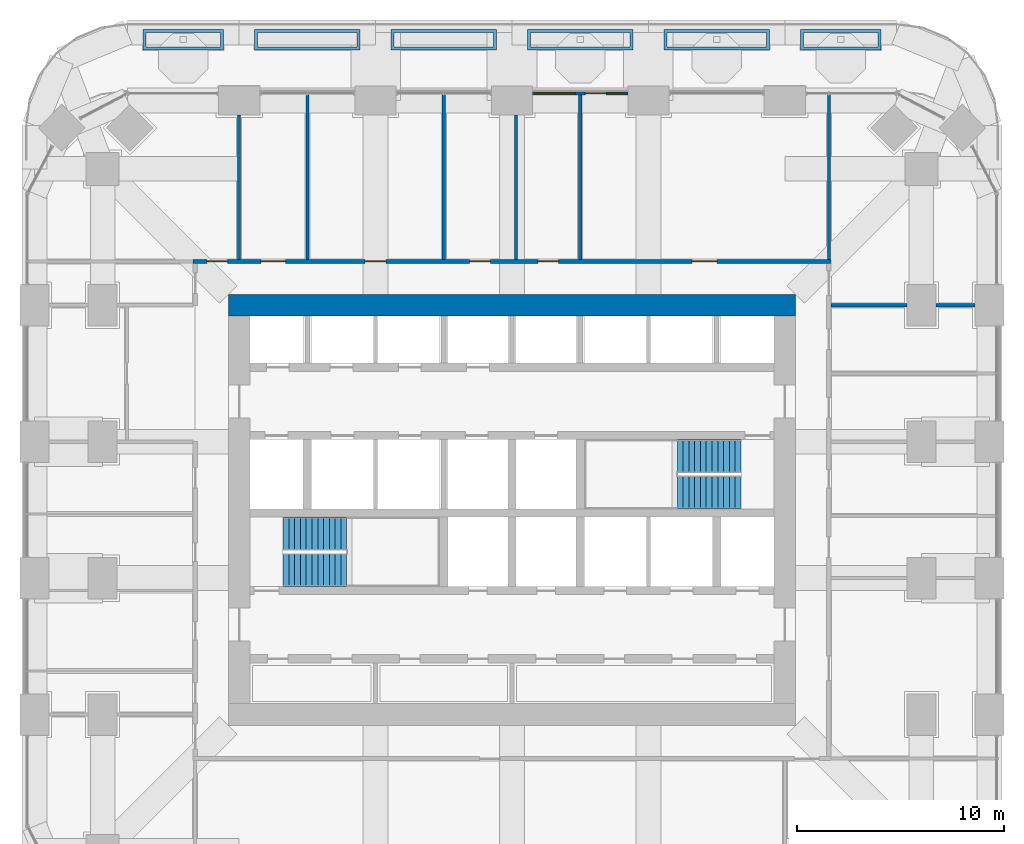
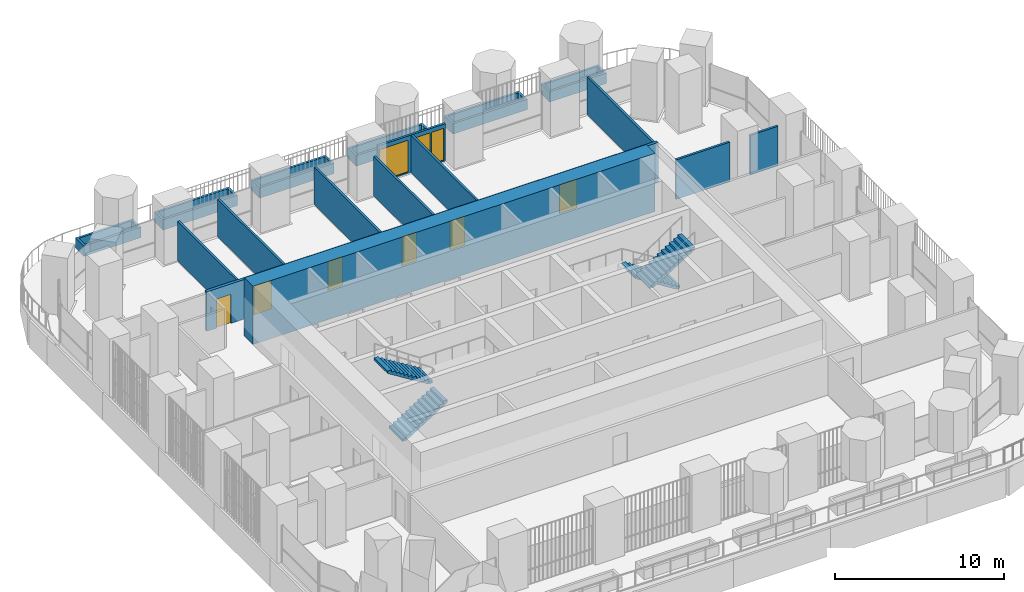
# One storey, part 16 of 22: 17 walls, 7 doors, 4 stair flights, 2 windows, 9 openings, 2 elements without a shape of their own.
"""IFC4 building model written with IfcOpenShell, lengths in metres."""

from ifc_helpers import new_model, si_unit, direction, frame, frame_2d, origin, place, context, subcontext, project, spatial, polyline, rectangle, outline, extrude, material, layer, layer_set, type_object, element, fill, aggregate, save


model = new_model("IFC4")

# Units and contexts
model_context = context("Model", 3, precision=1e-05, world=origin(), true_north=direction((0.0, 1.0)))
body_context = subcontext(model_context, "Body", "Model", "MODEL_VIEW")
ifc_project = project(units=[si_unit("LENGTHUNIT", "METRE"), si_unit("AREAUNIT", "SQUARE_METRE"), si_unit("VOLUMEUNIT", "CUBIC_METRE"), si_unit("PLANEANGLEUNIT", "RADIAN"), si_unit("MASSUNIT", "GRAM", prefix="KILO")], contexts=[model_context])

# Site, building, storey
site_placement = place(None, origin())
site = spatial("IfcSite", under=ifc_project, at=site_placement, CompositionType="ELEMENT")
building_placement = place(site_placement, origin())
building = spatial("IfcBuilding", under=site, at=building_placement, Name="Cobogo Forest Laboratory Tower", CompositionType="ELEMENT")
storey_placement = place(building_placement, frame((0.0, 0.0, 155.699951171875)))
storey = spatial("IfcBuildingStorey", under=building, at=storey_placement, Name="L35", CompositionType="ELEMENT", Elevation=155.699951171875)

# Wall
ifc_material_1 = material(Name="Concrete HA-50 (C50/60)", Category="concrete")
ifc_layer_1 = layer(ifc_material_1, 1.050048828125)
ifc_layer_set_1 = layer_set([ifc_layer_1], Name="CW1050 core outer wall 1050")
wall_type_1 = type_object("IfcWallType", Name="CW1050 core outer wall 1050", PredefinedType="SHEAR", material=ifc_layer_set_1)
wall_1_placement = place(storey_placement, frame((40.125, 33.0, 0.0), z_axis=(0.0, 0.0, 1.0), x_axis=(-1.0, 0.0, 0.0)))
element("IfcWall", 1, at=wall_1_placement, inside=storey, type_object=wall_type_1, Name="Core wall CO-N L35", PredefinedType="SHEAR", context=body_context, shape_type="SweptSolid", body=[
    extrude(rectangle(XDim=27.449951171875, YDim=1.050048828125, at=frame_2d((13.72509765625, 0.0))), origin(), (0.0, 0.0, 1.0), 4.199951171875),
])

# Wall, openings, door, windows
ifc_material_2 = material(Name="Aluminium framed glazed screen", Category="aluminium")
ifc_layer_2 = layer(ifc_material_2, 0.14990234375)
ifc_layer_set_2 = layer_set([ifc_layer_2], Name="GS1 glazed door screen 150")
wall_type_2 = type_object("IfcWallType", Name="GS1 glazed door screen 150", PredefinedType="SOLIDWALL", material=ifc_layer_set_2)
wall_2_placement = place(storey_placement, frame((32.0, 43.25, 0.0), z_axis=(0.0, 0.0, 1.0), x_axis=(-1.0, 0.0, 0.0)))
wall_2 = element("IfcWall", 2, at=wall_2_placement, inside=storey, type_object=wall_type_2, Name="Door screen TER-N L35", PredefinedType="SOLIDWALL", context=body_context, shape_type="SweptSolid", body=[
    extrude(rectangle(XDim=4.60009765625, YDim=0.14990234375, at=frame_2d((2.300048828125, 0.0))), origin(), (0.0, 0.0, 1.0), 2.699951171875),
])
opening_1_placement = place(wall_2_placement, frame((1.050048828125, 0.0, 0.0)))
opening_1 = element("IfcOpeningElement", 3, at=opening_1_placement, cuts=wall_2, Name="Opening L35-D39", PredefinedType="OPENING", context=body_context, shape_type="SweptSolid", body=[
    extrude(rectangle(XDim=1.0, YDim=2.39990234375, at=frame_2d((0.5, 1.199951171875))), frame((0.0, 0.0849609375, 0.0), z_axis=(0.0, -1.0, 0.0), x_axis=(1.0, 0.0, 0.0)), (0.0, 0.0, 1.0), 0.169921875),
])
opening_2_placement = place(wall_2_placement, frame((0.10009765625, 0.0, 0.10009765625)))
opening_2 = element("IfcOpeningElement", 4, at=opening_2_placement, cuts=wall_2, Name="Opening L35-W04", PredefinedType="OPENING", context=body_context, shape_type="SweptSolid", body=[
    extrude(rectangle(XDim=0.85009765625, YDim=2.300048828125, at=frame_2d((0.425048828125, 1.14990234375))), frame((0.0, 0.0849609375, 0.0), z_axis=(0.0, -1.0, 0.0), x_axis=(1.0, 0.0, 0.0)), (0.0, 0.0, 1.0), 0.169921875),
])
opening_3_placement = place(wall_2_placement, frame((2.550048828125, 0.0, 0.10009765625)))
opening_3 = element("IfcOpeningElement", 5, at=opening_3_placement, cuts=wall_2, Name="Opening L35-W03", PredefinedType="OPENING", context=body_context, shape_type="SweptSolid", body=[
    extrude(rectangle(XDim=1.949951171875, YDim=2.300048828125, at=frame_2d((0.97509765625, 1.14990234375))), frame((0.0, 0.0849609375, 0.0), z_axis=(0.0, -1.0, 0.0), x_axis=(1.0, 0.0, 0.0)), (0.0, 0.0, 1.0), 0.169921875),
])
ifc_material_3 = material(Name="Aluminium glazed door", Category="aluminium")
door_type_1 = type_object("IfcDoorType", Name="DT1 terrace door 1000 glazed", OperationType="SINGLE_SWING_RIGHT", PredefinedType="DOOR", material=ifc_material_3)
door_1_placement = place(opening_1_placement, origin())
door_1 = element("IfcDoor", 6, at=door_1_placement, inside=storey, type_object=door_type_1, Name="Door L35-TER-N", OperationType="SINGLE_SWING_LEFT", OverallHeight=2.39990234375, OverallWidth=1.0, PredefinedType="DOOR", context=body_context, shape_type="SweptSolid", body=[
    extrude(rectangle(XDim=1.0, YDim=2.39990234375, at=frame_2d((0.5, 1.199951171875))), frame((0.0, 0.02490234375, 0.0), z_axis=(0.0, -1.0, 0.0), x_axis=(1.0, 0.0, 0.0)), (0.0, 0.0, 1.0), 0.050048828125),
])
fill(opening_1, door_1)
ifc_material_4 = material(Name="Aluminium framed glazing", Category="aluminium")
window_type_1 = type_object("IfcWindowType", Name="WG1 fixed glazed light 1950x2300", PartitioningType="SINGLE_PANEL", PredefinedType="WINDOW", material=ifc_material_4)
window_1_placement = place(opening_3_placement, origin())
window_1 = element("IfcWindow", 7, at=window_1_placement, inside=storey, type_object=window_type_1, Name="Window L35-TER-N-2", OverallHeight=2.300048828125, OverallWidth=1.949951171875, PartitioningType="SINGLE_PANEL", PredefinedType="WINDOW", context=body_context, shape_type="SweptSolid", body=[
    extrude(rectangle(XDim=1.949951171875, YDim=2.300048828125, at=frame_2d((0.97509765625, 1.14990234375))), frame((0.0, 0.030029296875, 0.0), z_axis=(0.0, -1.0, 0.0), x_axis=(1.0, 0.0, 0.0)), (0.0, 0.0, 1.0), 0.06005859375),
])
fill(opening_3, window_1)
window_type_2 = type_object("IfcWindowType", Name="WG2 fixed glazed light 850x2300", PartitioningType="SINGLE_PANEL", PredefinedType="WINDOW", material=ifc_material_4)
window_2_placement = place(opening_2_placement, origin())
window_2 = element("IfcWindow", 8, at=window_2_placement, inside=storey, type_object=window_type_2, Name="Window L35-TER-N-1", OverallHeight=2.300048828125, OverallWidth=0.85009765625, PartitioningType="SINGLE_PANEL", PredefinedType="WINDOW", context=body_context, shape_type="SweptSolid", body=[
    extrude(rectangle(XDim=0.85009765625, YDim=2.300048828125, at=frame_2d((0.425048828125, 1.14990234375))), frame((0.0, 0.030029296875, 0.0), z_axis=(0.0, -1.0, 0.0), x_axis=(1.0, 0.0, 0.0)), (0.0, 0.0, 1.0), 0.06005859375),
])
fill(opening_2, window_2)

# Walls
ifc_material_5 = material(Name="Gypsum board on steel studs", Category="steel")
ifc_layer_3 = layer(ifc_material_5, 0.14990234375)
ifc_layer_set_3 = layer_set([ifc_layer_3], Name="PT1 laboratory partition 150")
wall_type_3 = type_object("IfcWallType", Name="PT1 laboratory partition 150", PredefinedType="PARTITIONING", material=ifc_layer_set_3)
wall_3_placement = place(storey_placement, frame((41.72509765625, 43.169921875, 0.0), z_axis=(0.0, 0.0, 1.0), x_axis=(0.0, -1.0, 0.0)))
element("IfcWall", 9, at=wall_3_placement, inside=storey, type_object=wall_type_3, Name="Partition PW-NE L35", PredefinedType="PARTITIONING", context=body_context, shape_type="SweptSolid", body=[
    extrude(rectangle(XDim=7.94482421875, YDim=0.14990234375, at=frame_2d((3.972412109375, 0.0))), origin(), (0.0, 0.0, 1.0), 2.699951171875),
])
wall_4_placement = place(storey_placement, frame((48.800048828125, 33.0, 0.0), z_axis=(0.0, 0.0, 1.0), x_axis=(-1.0, 0.0, 0.0)))
element("IfcWall", 10, at=wall_4_placement, inside=storey, type_object=wall_type_3, Name="Partition CUT-E33-1 L35", PredefinedType="PARTITIONING", context=body_context, shape_type="SweptSolid", body=[
    extrude(rectangle(XDim=1.900146484375, YDim=0.14990234375, at=frame_2d((0.9501953125, 0.0))), origin(), (0.0, 0.0, 1.0), 2.85009765625),
])
wall_5_placement = place(storey_placement, frame((45.5, 33.0, 0.0), z_axis=(0.0, 0.0, 1.0), x_axis=(-1.0, 0.0, 0.0)))
element("IfcWall", 11, at=wall_5_placement, inside=storey, type_object=wall_type_3, Name="Partition CUT-E33-2 L35", PredefinedType="PARTITIONING", context=body_context, shape_type="SweptSolid", body=[
    extrude(rectangle(XDim=3.675048828125, YDim=0.14990234375, at=frame_2d((1.83740234375, 0.0))), origin(), (0.0, 0.0, 1.0), 2.85009765625),
])
for number, where, z_axis, x_axis, name in (
    (12, (26.60009765625, 42.199951171875, 0.0), (0.0, 0.0, 1.0), (0.0, -1.0, 0.0), "Partition SVC-N1-1 L35"),
    (13, (13.199951171875, 42.199951171875, 0.0), (0.0, 0.0, 1.0), (0.0, -1.0, 0.0), "Partition CUT-N13.2-1 L35"),
):
    element("IfcWall", number, at=place(storey_placement, frame(where, z_axis=z_axis, x_axis=x_axis)), inside=storey, type_object=wall_type_3, Name=name, PredefinedType="PARTITIONING", context=body_context, shape_type="SweptSolid", body=[
        extrude(rectangle(XDim=6.974853515625, YDim=0.14990234375, at=frame_2d((3.4873046875, 0.0))), origin(), (0.0, 0.0, 1.0), 2.85009765625),
    ])
for number, where, z_axis, x_axis, name in (
    (14, (16.5, 43.169921875, 0.0), (0.0, 0.0, 1.0), (0.0, -1.0, 0.0), "Partition CUT-N16.5-1 L35"),
    (15, (23.10009765625, 43.169921875, 0.0), (0.0, 0.0, 1.0), (0.0, -1.0, 0.0), "Partition CUT-N23.1-1 L35"),
    (16, (29.699951171875, 43.169921875, 0.0), (0.0, 0.0, 1.0), (0.0, -1.0, 0.0), "Partition CUT-N29.7-1 L35"),
):
    element("IfcWall", number, at=place(storey_placement, frame(where, z_axis=z_axis, x_axis=x_axis)), inside=storey, type_object=wall_type_3, Name=name, PredefinedType="PARTITIONING", context=body_context, shape_type="SweptSolid", body=[
        extrude(rectangle(XDim=7.94482421875, YDim=0.14990234375, at=frame_2d((3.972412109375, 0.0))), origin(), (0.0, 0.0, 1.0), 2.699951171875),
    ])

# Wall, openings, doors
ifc_layer_4 = layer(ifc_material_5, 0.199951171875)
ifc_layer_set_4 = layer_set([ifc_layer_4], Name="PT2 fire-rated corridor partition 200")
wall_type_4 = type_object("IfcWallType", Name="PT2 fire-rated corridor partition 200", PredefinedType="PARTITIONING", material=ifc_layer_set_4)
wall_6_placement = place(storey_placement, frame((10.97509765625, 35.125, 0.0), z_axis=(0.0, 0.0, 1.0), x_axis=(1.0, 0.0, 0.0)))
wall_6 = element("IfcWall", 17, at=wall_6_placement, inside=storey, type_object=wall_type_4, Name="Partition CORR-N L35", PredefinedType="PARTITIONING", context=body_context, shape_type="SweptSolid", body=[
    extrude(rectangle(XDim=30.849853515625, YDim=0.199951171875, at=frame_2d((15.4248046875, 0.0))), origin(), (0.0, 0.0, 1.0), 2.85009765625),
])
opening_4_placement = place(wall_6_placement, frame((0.66259765625, 0.0, 0.0)))
opening_4 = element("IfcOpeningElement", 18, at=opening_4_placement, cuts=wall_6, Name="Opening L35-D33", PredefinedType="OPENING", context=body_context, shape_type="SweptSolid", body=[
    extrude(rectangle(XDim=1.0, YDim=2.10009765625, at=frame_2d((0.5, 1.050048828125))), frame((0.0, 0.10986328125, 0.0), z_axis=(0.0, -1.0, 0.0), x_axis=(1.0, 0.0, 0.0)), (0.0, 0.0, 1.0), 0.219970703125),
])
opening_5_placement = place(wall_6_placement, frame((3.27490234375, 0.0, 0.0)))
opening_5 = element("IfcOpeningElement", 19, at=opening_5_placement, cuts=wall_6, Name="Opening L35-D34", PredefinedType="OPENING", context=body_context, shape_type="SweptSolid", body=[
    extrude(rectangle(XDim=1.199951171875, YDim=2.10009765625, at=frame_2d((0.60009765625, 1.050048828125))), frame((0.0, 0.10986328125, 0.0), z_axis=(0.0, -1.0, 0.0), x_axis=(1.0, 0.0, 0.0)), (0.0, 0.0, 1.0), 0.219970703125),
])
opening_6_placement = place(wall_6_placement, frame((8.324951171875, 0.0, 0.0)))
opening_6 = element("IfcOpeningElement", 20, at=opening_6_placement, cuts=wall_6, Name="Opening L35-D35", PredefinedType="OPENING", context=body_context, shape_type="SweptSolid", body=[
    extrude(rectangle(XDim=1.0, YDim=2.10009765625, at=frame_2d((0.5, 1.050048828125))), frame((0.0, 0.10986328125, 0.0), z_axis=(0.0, -1.0, 0.0), x_axis=(1.0, 0.0, 0.0)), (0.0, 0.0, 1.0), 0.219970703125),
])
opening_7_placement = place(wall_6_placement, frame((13.375, 0.0, 0.0)))
opening_7 = element("IfcOpeningElement", 21, at=opening_7_placement, cuts=wall_6, Name="Opening L35-D36", PredefinedType="OPENING", context=body_context, shape_type="SweptSolid", body=[
    extrude(rectangle(XDim=1.0, YDim=2.10009765625, at=frame_2d((0.5, 1.050048828125))), frame((0.0, 0.10986328125, 0.0), z_axis=(0.0, -1.0, 0.0), x_axis=(1.0, 0.0, 0.0)), (0.0, 0.0, 1.0), 0.219970703125),
])
opening_8_placement = place(wall_6_placement, frame((16.675048828125, 0.0, 0.0)))
opening_8 = element("IfcOpeningElement", 22, at=opening_8_placement, cuts=wall_6, Name="Opening L35-D37", PredefinedType="OPENING", context=body_context, shape_type="SweptSolid", body=[
    extrude(rectangle(XDim=1.0, YDim=2.10009765625, at=frame_2d((0.5, 1.050048828125))), frame((0.0, 0.10986328125, 0.0), z_axis=(0.0, -1.0, 0.0), x_axis=(1.0, 0.0, 0.0)), (0.0, 0.0, 1.0), 0.219970703125),
])
opening_9_placement = place(wall_6_placement, frame((24.137451171875, 0.0, 0.0)))
opening_9 = element("IfcOpeningElement", 23, at=opening_9_placement, cuts=wall_6, Name="Opening L35-D38", PredefinedType="OPENING", context=body_context, shape_type="SweptSolid", body=[
    extrude(rectangle(XDim=1.199951171875, YDim=2.10009765625, at=frame_2d((0.60009765625, 1.050048828125))), frame((0.0, 0.10986328125, 0.0), z_axis=(0.0, -1.0, 0.0), x_axis=(1.0, 0.0, 0.0)), (0.0, 0.0, 1.0), 0.219970703125),
])
ifc_material_6 = material(Name="Timber door", Category="wood")
door_type_2 = type_object("IfcDoorType", Name="D2 laboratory door 1200 unequal pair", OperationType="DOUBLE_DOOR_SINGLE_SWING", PredefinedType="DOOR", material=ifc_material_6)
door_2_placement = place(opening_5_placement, origin())
door_2 = element("IfcDoor", 24, at=door_2_placement, inside=storey, type_object=door_type_2, Name="Door L35-N2", OperationType="DOUBLE_DOOR_SINGLE_SWING", OverallHeight=2.10009765625, OverallWidth=1.199951171875, PredefinedType="DOOR", context=body_context, shape_type="SweptSolid", body=[
    extrude(rectangle(XDim=1.199951171875, YDim=2.10009765625, at=frame_2d((0.60009765625, 1.050048828125))), frame((0.0, 0.02490234375, 0.0), z_axis=(0.0, -1.0, 0.0), x_axis=(1.0, 0.0, 0.0)), (0.0, 0.0, 1.0), 0.050048828125),
])
fill(opening_5, door_2)
door_3_placement = place(opening_9_placement, origin())
door_3 = element("IfcDoor", 25, at=door_3_placement, inside=storey, type_object=door_type_2, Name="Door L35-N5", OperationType="DOUBLE_DOOR_SINGLE_SWING", OverallHeight=2.10009765625, OverallWidth=1.199951171875, PredefinedType="DOOR", context=body_context, shape_type="SweptSolid", body=[
    extrude(rectangle(XDim=1.199951171875, YDim=2.10009765625, at=frame_2d((0.60009765625, 1.050048828125))), frame((0.0, 0.02490234375, 0.0), z_axis=(0.0, -1.0, 0.0), x_axis=(1.0, 0.0, 0.0)), (0.0, 0.0, 1.0), 0.050048828125),
])
fill(opening_9, door_3)
ifc_material_7 = material(Name="Timber fire door", Category="wood")
door_type_3 = type_object("IfcDoorType", Name="FD2 fire door 1000 EI2 30", OperationType="SINGLE_SWING_LEFT", PredefinedType="DOOR", material=ifc_material_7)
door_4_placement = place(opening_4_placement, origin())
door_4 = element("IfcDoor", 26, at=door_4_placement, inside=storey, type_object=door_type_3, Name="Door L35-N1", OperationType="SINGLE_SWING_LEFT", OverallHeight=2.10009765625, OverallWidth=1.0, PredefinedType="DOOR", context=body_context, shape_type="SweptSolid", body=[
    extrude(rectangle(XDim=1.0, YDim=2.10009765625, at=frame_2d((0.5, 1.050048828125))), frame((0.0, 0.02490234375, 0.0), z_axis=(0.0, -1.0, 0.0), x_axis=(1.0, 0.0, 0.0)), (0.0, 0.0, 1.0), 0.050048828125),
])
fill(opening_4, door_4)
door_5_placement = place(opening_6_placement, origin())
door_5 = element("IfcDoor", 27, at=door_5_placement, inside=storey, type_object=door_type_3, Name="Door L35-N3", OperationType="SINGLE_SWING_LEFT", OverallHeight=2.10009765625, OverallWidth=1.0, PredefinedType="DOOR", context=body_context, shape_type="SweptSolid", body=[
    extrude(rectangle(XDim=1.0, YDim=2.10009765625, at=frame_2d((0.5, 1.050048828125))), frame((0.0, 0.02490234375, 0.0), z_axis=(0.0, -1.0, 0.0), x_axis=(1.0, 0.0, 0.0)), (0.0, 0.0, 1.0), 0.050048828125),
])
fill(opening_6, door_5)
door_6_placement = place(opening_7_placement, origin())
door_6 = element("IfcDoor", 28, at=door_6_placement, inside=storey, type_object=door_type_3, Name="Door L35-MTG", OperationType="SINGLE_SWING_LEFT", OverallHeight=2.10009765625, OverallWidth=1.0, PredefinedType="DOOR", context=body_context, shape_type="SweptSolid", body=[
    extrude(rectangle(XDim=1.0, YDim=2.10009765625, at=frame_2d((0.5, 1.050048828125))), frame((0.0, 0.02490234375, 0.0), z_axis=(0.0, -1.0, 0.0), x_axis=(1.0, 0.0, 0.0)), (0.0, 0.0, 1.0), 0.050048828125),
])
fill(opening_7, door_6)
door_7_placement = place(opening_8_placement, origin())
door_7 = element("IfcDoor", 29, at=door_7_placement, inside=storey, type_object=door_type_3, Name="Door L35-PAN", OperationType="SINGLE_SWING_RIGHT", OverallHeight=2.10009765625, OverallWidth=1.0, PredefinedType="DOOR", context=body_context, shape_type="SweptSolid", body=[
    extrude(rectangle(XDim=1.0, YDim=2.10009765625, at=frame_2d((0.5, 1.050048828125))), frame((0.0, 0.02490234375, 0.0), z_axis=(0.0, -1.0, 0.0), x_axis=(1.0, 0.0, 0.0)), (0.0, 0.0, 1.0), 0.050048828125),
])
fill(opening_8, door_7)

# Walls
ifc_material_8 = material(Name="Concrete HA-40 (C40/50)", Category="concrete")
ifc_layer_5 = layer(ifc_material_8, 0.14990234375)
ifc_layer_set_5 = layer_set([ifc_layer_5], Name="Planter box 1000x750")
wall_type_5 = type_object("IfcWallType", Name="Planter box 1000x750", PredefinedType="USERDEFINED", material=ifc_layer_set_5)
wall_7_placement = place(storey_placement, origin())
element("IfcWall", 30, at=wall_7_placement, inside=storey, type_object=wall_type_5, Name="Terrace planter TER-N-1 L35", ObjectType="PLANTER", PredefinedType="USERDEFINED", context=body_context, shape_type="SweptSolid", body=[
    extrude(outline(polyline([(8.550048828125, 45.35009765625), (12.449951171875, 45.35009765625), (12.449951171875, 46.35009765625), (8.550048828125, 46.35009765625), (8.550048828125, 45.35009765625)]), holes=[polyline([(8.699951171875, 45.5), (12.300048828125, 45.5), (12.300048828125, 46.199951171875), (8.699951171875, 46.199951171875), (8.699951171875, 45.5)])]), origin(), (0.0, 0.0, 1.0), 0.75),
])
wall_8_placement = place(storey_placement, origin())
element("IfcWall", 31, at=wall_8_placement, inside=storey, type_object=wall_type_5, Name="Terrace planter TER-N-2 L35", ObjectType="PLANTER", PredefinedType="USERDEFINED", context=body_context, shape_type="SweptSolid", body=[
    extrude(outline(polyline([(13.949951171875, 45.35009765625), (19.050048828125, 45.35009765625), (19.050048828125, 46.35009765625), (13.949951171875, 46.35009765625), (13.949951171875, 45.35009765625)]), holes=[polyline([(14.10009765625, 45.5), (18.89990234375, 45.5), (18.89990234375, 46.199951171875), (14.10009765625, 46.199951171875), (14.10009765625, 45.5)])]), origin(), (0.0, 0.0, 1.0), 0.75),
])
wall_9_placement = place(storey_placement, origin())
element("IfcWall", 32, at=wall_9_placement, inside=storey, type_object=wall_type_5, Name="Terrace planter TER-N-3 L35", ObjectType="PLANTER", PredefinedType="USERDEFINED", context=body_context, shape_type="SweptSolid", body=[
    extrude(outline(polyline([(20.550048828125, 45.35009765625), (25.64990234375, 45.35009765625), (25.64990234375, 46.35009765625), (20.550048828125, 46.35009765625), (20.550048828125, 45.35009765625)]), holes=[polyline([(20.699951171875, 45.5), (25.5, 45.5), (25.5, 46.199951171875), (20.699951171875, 46.199951171875), (20.699951171875, 45.5)])]), origin(), (0.0, 0.0, 1.0), 0.75),
])
wall_10_placement = place(storey_placement, origin())
element("IfcWall", 33, at=wall_10_placement, inside=storey, type_object=wall_type_5, Name="Terrace planter TER-N-4 L35", ObjectType="PLANTER", PredefinedType="USERDEFINED", context=body_context, shape_type="SweptSolid", body=[
    extrude(outline(polyline([(27.14990234375, 45.35009765625), (32.25, 45.35009765625), (32.25, 46.35009765625), (27.14990234375, 46.35009765625), (27.14990234375, 45.35009765625)]), holes=[polyline([(27.300048828125, 45.5), (32.10009765625, 45.5), (32.10009765625, 46.199951171875), (27.300048828125, 46.199951171875), (27.300048828125, 45.5)])]), origin(), (0.0, 0.0, 1.0), 0.75),
])
wall_11_placement = place(storey_placement, origin())
element("IfcWall", 34, at=wall_11_placement, inside=storey, type_object=wall_type_5, Name="Terrace planter TER-N-5 L35", ObjectType="PLANTER", PredefinedType="USERDEFINED", context=body_context, shape_type="SweptSolid", body=[
    extrude(outline(polyline([(33.75, 45.35009765625), (38.85009765625, 45.35009765625), (38.85009765625, 46.35009765625), (33.75, 46.35009765625), (33.75, 45.35009765625)]), holes=[polyline([(33.89990234375, 45.5), (38.699951171875, 45.5), (38.699951171875, 46.199951171875), (33.89990234375, 46.199951171875), (33.89990234375, 45.5)])]), origin(), (0.0, 0.0, 1.0), 0.75),
])
wall_12_placement = place(storey_placement, origin())
element("IfcWall", 35, at=wall_12_placement, inside=storey, type_object=wall_type_5, Name="Terrace planter TER-N-6 L35", ObjectType="PLANTER", PredefinedType="USERDEFINED", context=body_context, shape_type="SweptSolid", body=[
    extrude(outline(polyline([(40.35009765625, 45.35009765625), (44.25, 45.35009765625), (44.25, 46.35009765625), (40.35009765625, 46.35009765625), (40.35009765625, 45.35009765625)]), holes=[polyline([(40.5, 45.5), (44.10009765625, 45.5), (44.10009765625, 46.199951171875), (40.5, 46.199951171875), (40.5, 45.5)])]), origin(), (0.0, 0.0, 1.0), 0.75),
])

# Stair, stair flights
ifc_material_9 = material(Name="Precast concrete HA-40 (C40/50)", Category="concrete")
stair_type = type_object("IfcStairType", Name="ST24 exit stair 24 risers", PredefinedType="HALF_TURN_STAIR", material=ifc_material_9)
stair_1_placement = place(storey_placement, origin())
stair_1 = element("IfcStair", 36, at=stair_1_placement, inside=storey, type_object=stair_type, Name="Stair 1 L35 to L36", PredefinedType="HALF_TURN_STAIR")
stair_flight_type = type_object("IfcStairFlightType", Name="ST stair flight 280 going", PredefinedType="STRAIGHT", material=ifc_material_9)
stair_flight_1_placement = place(storey_placement, frame((15.324951171875, 20.199951171875, 0.0), z_axis=(0.0, 0.0, 1.0), x_axis=(1.0, 0.0, 0.0)))
stair_flight_1 = element("IfcStairFlight", 37, at=stair_flight_1_placement, type_object=stair_flight_type, Name="ST1 flight 1", NumberOfRisers=12, NumberOfTreads=11, PredefinedType="STRAIGHT", RiserHeight=0.175, TreadLength=0.28, context=body_context, shape_type="SweptSolid", body=[
    extrude(outline(polyline([(0.0, 0.0), (0.0, 0.175048828125), (0.280029296875, 0.175048828125), (0.280029296875, 0.35009765625), (0.56005859375, 0.35009765625), (0.56005859375, 0.52490234375), (0.840087890625, 0.52490234375), (0.840087890625, 0.699951171875), (1.1201171875, 0.699951171875), (1.1201171875, 0.875), (1.39990234375, 0.875), (1.39990234375, 1.050048828125), (1.679931640625, 1.050048828125), (1.679931640625, 1.22509765625), (1.9599609375, 1.22509765625), (1.9599609375, 1.39990234375), (2.239990234375, 1.39990234375), (2.239990234375, 1.574951171875), (2.52001953125, 1.574951171875), (2.52001953125, 1.75), (2.800048828125, 1.75), (2.800048828125, 1.925048828125), (3.080078125, 1.925048828125), (3.080078125, 2.10009765625), (3.080078125, 1.748291015625), (0.28271484375, 0.0), (0.0, 0.0)])), frame((0.0, 0.800048828125, 0.0), z_axis=(0.0, -1.0, 0.0), x_axis=(1.0, 0.0, 0.0)), (0.0, 0.0, 1.0), 1.60009765625),
])
stair_flight_2_placement = place(storey_placement, frame((18.405029296875, 21.949951171875, 2.10009765625), z_axis=(0.0, 0.0, 1.0), x_axis=(-1.0, 0.0, 0.0)))
stair_flight_2 = element("IfcStairFlight", 38, at=stair_flight_2_placement, type_object=stair_flight_type, Name="ST1 flight 2", NumberOfRisers=12, NumberOfTreads=11, PredefinedType="STRAIGHT", RiserHeight=0.175, TreadLength=0.28, context=body_context, shape_type="SweptSolid", body=[
    extrude(outline(polyline([(0.0, 0.0), (0.0, 0.175048828125), (0.280029296875, 0.175048828125), (0.280029296875, 0.35009765625), (0.56005859375, 0.35009765625), (0.56005859375, 0.52490234375), (0.840087890625, 0.52490234375), (0.840087890625, 0.699951171875), (1.1201171875, 0.699951171875), (1.1201171875, 0.875), (1.39990234375, 0.875), (1.39990234375, 1.050048828125), (1.679931640625, 1.050048828125), (1.679931640625, 1.22509765625), (1.9599609375, 1.22509765625), (1.9599609375, 1.39990234375), (2.239990234375, 1.39990234375), (2.239990234375, 1.574951171875), (2.52001953125, 1.574951171875), (2.52001953125, 1.75), (2.800048828125, 1.75), (2.800048828125, 1.925048828125), (3.080078125, 1.925048828125), (3.080078125, 2.10009765625), (3.080078125, 1.748291015625), (0.28271484375, 0.0), (0.0, 0.0)])), frame((0.0, 0.800048828125, 0.0), z_axis=(0.0, -1.0, 0.0), x_axis=(1.0, 0.0, 0.0)), (0.0, 0.0, 1.0), 1.60009765625),
])
aggregate(stair_1, [stair_flight_1, stair_flight_2])

stair_2_placement = place(storey_placement, origin())
stair_2 = element("IfcStair", 39, at=stair_2_placement, inside=storey, type_object=stair_type, Name="Stair 2 L35 to L36", PredefinedType="HALF_TURN_STAIR")
stair_flight_3_placement = place(storey_placement, frame((37.47509765625, 25.699951171875, 0.0), z_axis=(0.0, 0.0, 1.0), x_axis=(-1.0, 0.0, 0.0)))
stair_flight_3 = element("IfcStairFlight", 40, at=stair_flight_3_placement, type_object=stair_flight_type, Name="ST2 flight 1", NumberOfRisers=12, NumberOfTreads=11, PredefinedType="STRAIGHT", RiserHeight=0.175, TreadLength=0.28, context=body_context, shape_type="SweptSolid", body=[
    extrude(outline(polyline([(0.0, 0.0), (0.0, 0.175048828125), (0.280029296875, 0.175048828125), (0.280029296875, 0.35009765625), (0.56005859375, 0.35009765625), (0.56005859375, 0.52490234375), (0.840087890625, 0.52490234375), (0.840087890625, 0.699951171875), (1.1201171875, 0.699951171875), (1.1201171875, 0.875), (1.39990234375, 0.875), (1.39990234375, 1.050048828125), (1.679931640625, 1.050048828125), (1.679931640625, 1.22509765625), (1.9599609375, 1.22509765625), (1.9599609375, 1.39990234375), (2.239990234375, 1.39990234375), (2.239990234375, 1.574951171875), (2.52001953125, 1.574951171875), (2.52001953125, 1.75), (2.800048828125, 1.75), (2.800048828125, 1.925048828125), (3.080078125, 1.925048828125), (3.080078125, 2.10009765625), (3.080078125, 1.748291015625), (0.28271484375, 0.0), (0.0, 0.0)])), frame((0.0, 0.800048828125, 0.0), z_axis=(0.0, -1.0, 0.0), x_axis=(1.0, 0.0, 0.0)), (0.0, 0.0, 1.0), 1.60009765625),
])
stair_flight_4_placement = place(storey_placement, frame((34.39501953125, 23.949951171875, 2.10009765625), z_axis=(0.0, 0.0, 1.0), x_axis=(1.0, 0.0, 0.0)))
stair_flight_4 = element("IfcStairFlight", 41, at=stair_flight_4_placement, type_object=stair_flight_type, Name="ST2 flight 2", NumberOfRisers=12, NumberOfTreads=11, PredefinedType="STRAIGHT", RiserHeight=0.175, TreadLength=0.28, context=body_context, shape_type="SweptSolid", body=[
    extrude(outline(polyline([(0.0, 0.0), (0.0, 0.175048828125), (0.280029296875, 0.175048828125), (0.280029296875, 0.35009765625), (0.56005859375, 0.35009765625), (0.56005859375, 0.52490234375), (0.840087890625, 0.52490234375), (0.840087890625, 0.699951171875), (1.1201171875, 0.699951171875), (1.1201171875, 0.875), (1.39990234375, 0.875), (1.39990234375, 1.050048828125), (1.679931640625, 1.050048828125), (1.679931640625, 1.22509765625), (1.9599609375, 1.22509765625), (1.9599609375, 1.39990234375), (2.239990234375, 1.39990234375), (2.239990234375, 1.574951171875), (2.52001953125, 1.574951171875), (2.52001953125, 1.75), (2.800048828125, 1.75), (2.800048828125, 1.925048828125), (3.080078125, 1.925048828125), (3.080078125, 2.10009765625), (3.080078125, 1.748291015625), (0.28271484375, 0.0), (0.0, 0.0)])), frame((0.0, 0.800048828125, 0.0), z_axis=(0.0, -1.0, 0.0), x_axis=(1.0, 0.0, 0.0)), (0.0, 0.0, 1.0), 1.60009765625),
])
aggregate(stair_2, [stair_flight_3, stair_flight_4])

save(model, "model.ifc")
